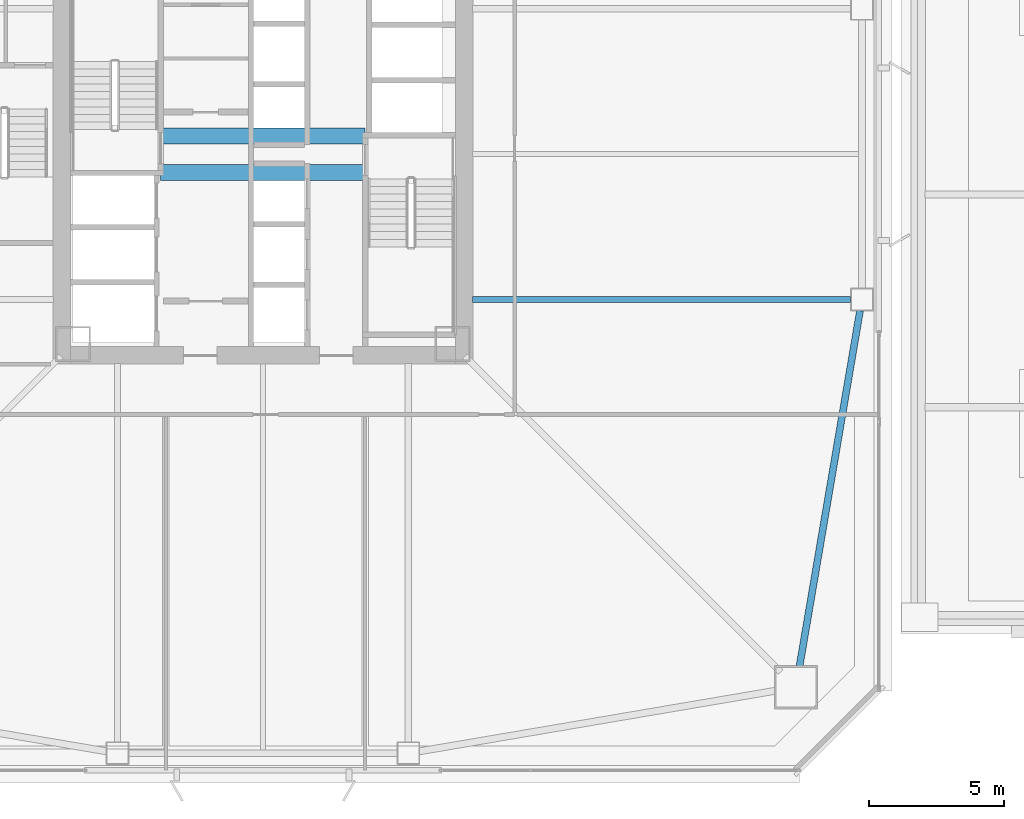
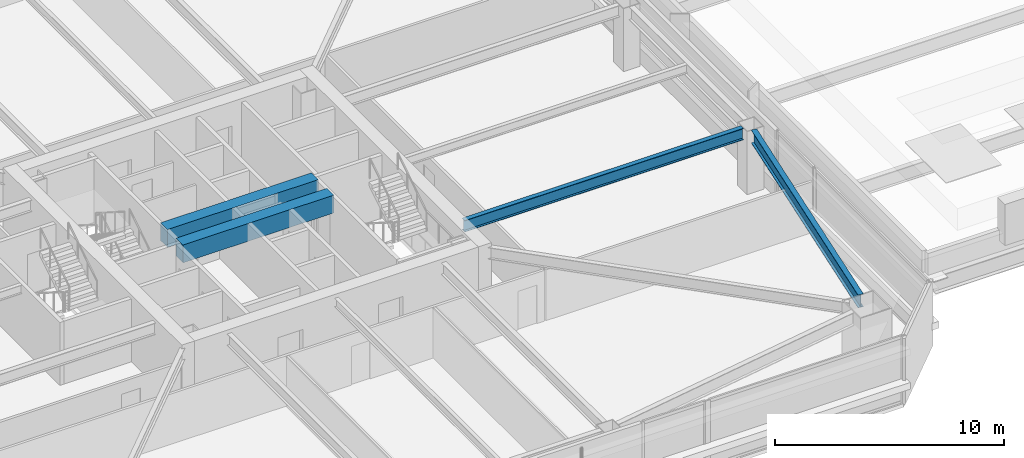
# One storey, part 10 of 62: 4 beams.
"""IFC4 building model written with IfcOpenShell, lengths in metres."""

from ifc_helpers import new_model, si_unit, direction, frame, origin, origin_2d, place, context, subcontext, project, spatial, rectangle, i_section, extrude, material, material_profile, profile_set, type_object, element, save


model = new_model("IFC4")

# Units and contexts
model_context = context("Model", 3, precision=1e-05, world=origin(), true_north=direction((0.0, 1.0)))
body_context = subcontext(model_context, "Body", "Model", "MODEL_VIEW")
ifc_project = project(units=[si_unit("LENGTHUNIT", "METRE"), si_unit("AREAUNIT", "SQUARE_METRE"), si_unit("VOLUMEUNIT", "CUBIC_METRE"), si_unit("PLANEANGLEUNIT", "RADIAN"), si_unit("MASSUNIT", "GRAM", prefix="KILO")], contexts=[model_context])

# Site, building, storey
site_placement = place(None, origin())
site = spatial("IfcSite", under=ifc_project, at=site_placement, CompositionType="ELEMENT")
building_placement = place(site_placement, origin())
building = spatial("IfcBuilding", under=site, at=building_placement, Name="Tashvorn Skyway Center", CompositionType="ELEMENT")
storey_placement = place(building_placement, frame((0.0, 0.0, 28.14990234375)))
storey = spatial("IfcBuildingStorey", under=building, at=storey_placement, Name="L06", CompositionType="ELEMENT", Elevation=28.14990234375)

# Beams
ifc_material_1 = material(Name="Steel ASTM A992 Grade 50", Category="steel")
ifc_material_profile_1 = material_profile(ifc_material_1, i_section(OverallWidth=0.22998046875, OverallDepth=0.616943359375, WebThickness=0.01318359375, FlangeThickness=0.022216796875, at=origin_2d()), Name="W24X94")
ifc_profile_set_1 = profile_set([ifc_material_profile_1], Name="Steel ASTM A992 Grade 50")
beam_type_1 = type_object("IfcBeamType", Name="BM-BEAM-W24X94", PredefinedType="BEAM", material=ifc_profile_set_1)
beam_1_placement = place(storey_placement, frame((63.830078125, 26.60009765625, 3.04150390625), z_axis=(-1.0, 0.0, 0.0), x_axis=(0.0, -1.0, 0.0)))
element("IfcBeam", 1, at=beam_1_placement, inside=storey, type_object=beam_type_1, Name="Tower 1 L06 Primary Floor Girder FC-E1", PredefinedType="BEAM", context=body_context, shape_type="SweptSolid", body=[
    extrude(i_section(OverallWidth=0.22998046875, OverallDepth=0.616943359375, WebThickness=0.01318359375, FlangeThickness=0.022216796875, at=origin_2d()), origin(), (0.0, 0.0, 1.0), 14.050048828125),
])
ifc_material_2 = material(Name="Concrete C60/75", Category="concrete")
ifc_material_profile_2 = material_profile(ifc_material_2, rectangle(XDim=0.60009765625, YDim=0.949951171875, at=origin_2d()), Name="RCB600x950")
ifc_profile_set_2 = profile_set([ifc_material_profile_2], Name="Concrete C60/75")
beam_type_2 = type_object("IfcBeamType", Name="BM-LINTEL-RCB600x950", PredefinedType="LINTEL", material=ifc_profile_set_2)
for number, where, z_axis, x_axis, name in (
    (2, (38.199951171875, 32.679931640625, 2.875), (1.0, 0.0, 0.0), (0.0, 1.0, 0.0), "Tower 1 L06 Core Coupling Beam CN"),
    (3, (38.199951171875, 31.320068359375, 2.875), (1.0, 0.0, 0.0), (0.0, 1.0, 0.0), "Tower 1 L06 Core Coupling Beam CS"),
):
    element("IfcBeam", number, at=place(storey_placement, frame(where, z_axis=z_axis, x_axis=x_axis)), inside=storey, type_object=beam_type_2, Name=name, PredefinedType="LINTEL", context=body_context, shape_type="SweptSolid", body=[
        extrude(rectangle(XDim=0.60009765625, YDim=0.949951171875, at=origin_2d()), origin(), (0.0, 0.0, 1.0), 7.60009765625),
    ])
ifc_material_profile_3 = material_profile(ifc_material_1, i_section(OverallWidth=0.256103515625, OverallDepth=0.693115234375, WebThickness=0.014404296875, FlangeThickness=0.023681640625, at=origin_2d()), Name="W27X114")
ifc_profile_set_3 = profile_set([ifc_material_profile_3], Name="Steel ASTM A992 Grade 50")
beam_type_3 = type_object("IfcBeamType", Name="BM-SPANDREL-W27X114", PredefinedType="SPANDREL", material=ifc_profile_set_3)
beam_2_placement = place(storey_placement, frame((61.933349609375, 12.983642578125, 3.003662109375), z_axis=(0.16771792509, 0.985835025551, 0.0), x_axis=(-0.985835025551, 0.16771792509, 0.0)))
element("IfcBeam", 4, at=beam_2_placement, inside=storey, type_object=beam_type_3, Name="Tower 1 L06 Spandrel Beam 04", PredefinedType="SPANDREL", context=body_context, shape_type="SweptSolid", body=[
    extrude(i_section(OverallWidth=0.256103515625, OverallDepth=0.693115234375, WebThickness=0.014404296875, FlangeThickness=0.023681640625, at=origin_2d()), origin(), (0.0, 0.0, 1.0), 13.39208984375),
])

save(model, "model.ifc")
